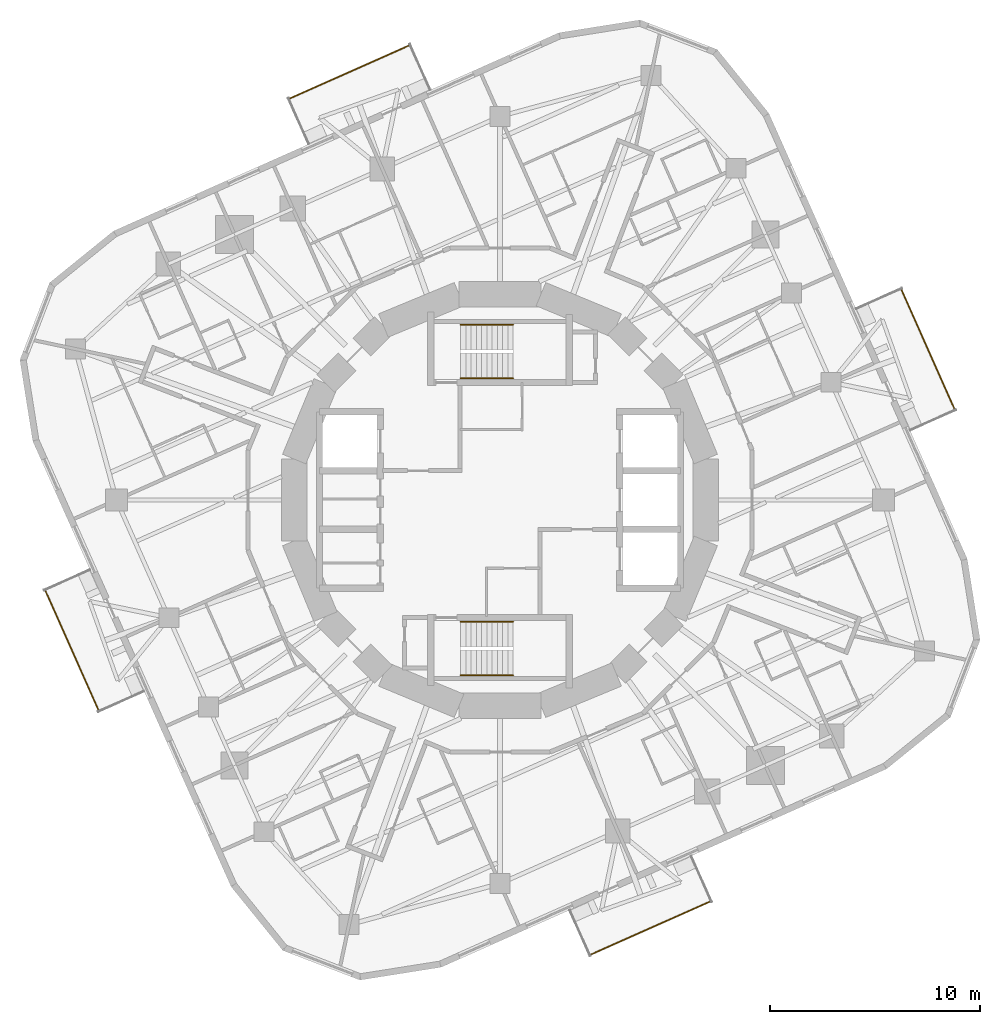
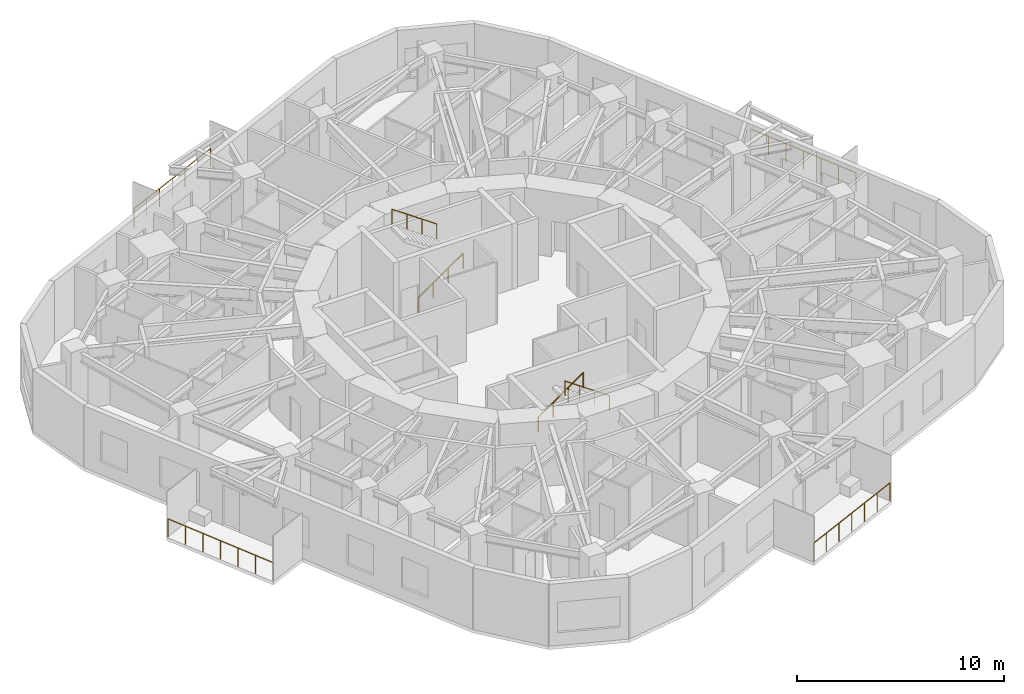
# One storey, part 11 of 12: 8 railings.
"""IFC4 building model written with IfcOpenShell, lengths in metres."""

from ifc_helpers import new_model, si_unit, direction, frame, origin, origin_2d, place, context, subcontext, project, spatial, circle, extrude, material, type_object, element, save


model = new_model("IFC4")

# Units and contexts
model_context = context("Model", 3, precision=1e-05, world=origin(), true_north=direction((0.0, 1.0)))
body_context = subcontext(model_context, "Body", "Model", "MODEL_VIEW")
ifc_project = project(units=[si_unit("LENGTHUNIT", "METRE"), si_unit("AREAUNIT", "SQUARE_METRE"), si_unit("VOLUMEUNIT", "CUBIC_METRE"), si_unit("PLANEANGLEUNIT", "RADIAN"), si_unit("MASSUNIT", "GRAM", prefix="KILO")], contexts=[model_context])

# Site, building, storey
site_placement = place(None, origin())
site = spatial("IfcSite", under=ifc_project, at=site_placement, CompositionType="ELEMENT")
building_placement = place(site_placement, origin())
building = spatial("IfcBuilding", under=site, at=building_placement, Name="Nakasero Lantern House", CompositionType="ELEMENT")
storey_placement = place(building_placement, frame((0.0, 0.0, 190.14990234375)))
storey = spatial("IfcBuildingStorey", under=building, at=storey_placement, Name="L46", CompositionType="ELEMENT", Elevation=190.14990234375)

# Railings
ifc_material_1 = material(Name="Aluminium 6063-T6", Category="aluminium")
railing_type_1 = type_object("IfcRailingType", Name="Balcony guard 1100", PredefinedType="BALUSTRADE", material=ifc_material_1)
railing_1_placement = place(storey_placement, frame((21.67529296875, 4.29931640625, 0.0)))
element("IfcRailing", 1, at=railing_1_placement, inside=storey, type_object=railing_type_1, Name="Balcony guard L46 BAL0", PredefinedType="BALUSTRADE", context=body_context, shape_type="SweptSolid", body=[
    extrude(circle(Radius=0.02392578125, at=origin_2d()), frame((0.0, 0.0, 1.076171875), z_axis=(-0.40676486805, 0.913532890552, 0.0), x_axis=(-0.913532890552, -0.40676486805, 0.0)), (0.0, 0.0, 1.0), 6.291259765625),
    extrude(circle(Radius=0.02099609375, at=origin_2d()), origin(), (0.0, 0.0, 1.0), 1.052001953125),
    extrude(circle(Radius=0.02099609375, at=origin_2d()), frame((-0.426513671875, 0.9580078125, 0.0)), (0.0, 0.0, 1.0), 1.052001953125),
    extrude(circle(Radius=0.02099609375, at=origin_2d()), frame((-0.85302734375, 1.915771484375, 0.0)), (0.0, 0.0, 1.0), 1.052001953125),
    extrude(circle(Radius=0.02099609375, at=origin_2d()), frame((-1.279541015625, 2.87353515625, 0.0)), (0.0, 0.0, 1.0), 1.052001953125),
    extrude(circle(Radius=0.02099609375, at=origin_2d()), frame((-1.7060546875, 3.83154296875, 0.0)), (0.0, 0.0, 1.0), 1.052001953125),
    extrude(circle(Radius=0.02099609375, at=origin_2d()), frame((-2.132568359375, 4.78955078125, 0.0)), (0.0, 0.0, 1.0), 1.052001953125),
    extrude(circle(Radius=0.02099609375, at=origin_2d()), frame((-2.55908203125, 5.747314453125, 0.0)), (0.0, 0.0, 1.0), 1.052001953125),
])
railing_2_placement = place(storey_placement, frame((-4.29931640625, 21.67529296875, 0.0)))
element("IfcRailing", 2, at=railing_2_placement, inside=storey, type_object=railing_type_1, Name="Balcony guard L46 BAL1", PredefinedType="BALUSTRADE", context=body_context, shape_type="SweptSolid", body=[
    extrude(circle(Radius=0.02392578125, at=origin_2d()), frame((0.0, 0.0, 1.076171875), z_axis=(-0.913532890552, -0.40676486805, 0.0), x_axis=(0.40676486805, -0.913532890552, 0.0)), (0.0, 0.0, 1.0), 6.291259765625),
    extrude(circle(Radius=0.02099609375, at=origin_2d()), origin(), (0.0, 0.0, 1.0), 1.052001953125),
    extrude(circle(Radius=0.02099609375, at=origin_2d()), frame((-0.9580078125, -0.426513671875, 0.0)), (0.0, 0.0, 1.0), 1.052001953125),
    extrude(circle(Radius=0.02099609375, at=origin_2d()), frame((-1.915771484375, -0.85302734375, 0.0)), (0.0, 0.0, 1.0), 1.052001953125),
    extrude(circle(Radius=0.02099609375, at=origin_2d()), frame((-2.87353515625, -1.279541015625, 0.0)), (0.0, 0.0, 1.0), 1.052001953125),
    extrude(circle(Radius=0.02099609375, at=origin_2d()), frame((-3.83154296875, -1.7060546875, 0.0)), (0.0, 0.0, 1.0), 1.052001953125),
    extrude(circle(Radius=0.02099609375, at=origin_2d()), frame((-4.78955078125, -2.132568359375, 0.0)), (0.0, 0.0, 1.0), 1.052001953125),
    extrude(circle(Radius=0.02099609375, at=origin_2d()), frame((-5.747314453125, -2.55908203125, 0.0)), (0.0, 0.0, 1.0), 1.052001953125),
])
railing_3_placement = place(storey_placement, frame((-21.67529296875, -4.29931640625, 0.0)))
element("IfcRailing", 3, at=railing_3_placement, inside=storey, type_object=railing_type_1, Name="Balcony guard L46 BAL2", PredefinedType="BALUSTRADE", context=body_context, shape_type="SweptSolid", body=[
    extrude(circle(Radius=0.02392578125, at=origin_2d()), frame((0.0, 0.0, 1.076171875), z_axis=(0.40676486805, -0.913532890552, 0.0), x_axis=(0.913532890552, 0.40676486805, 0.0)), (0.0, 0.0, 1.0), 6.291259765625),
    extrude(circle(Radius=0.02099609375, at=origin_2d()), origin(), (0.0, 0.0, 1.0), 1.052001953125),
    extrude(circle(Radius=0.02099609375, at=origin_2d()), frame((0.426513671875, -0.9580078125, 0.0)), (0.0, 0.0, 1.0), 1.052001953125),
    extrude(circle(Radius=0.02099609375, at=origin_2d()), frame((0.85302734375, -1.915771484375, 0.0)), (0.0, 0.0, 1.0), 1.052001953125),
    extrude(circle(Radius=0.02099609375, at=origin_2d()), frame((1.279541015625, -2.87353515625, 0.0)), (0.0, 0.0, 1.0), 1.052001953125),
    extrude(circle(Radius=0.02099609375, at=origin_2d()), frame((1.7060546875, -3.83154296875, 0.0)), (0.0, 0.0, 1.0), 1.052001953125),
    extrude(circle(Radius=0.02099609375, at=origin_2d()), frame((2.132568359375, -4.78955078125, 0.0)), (0.0, 0.0, 1.0), 1.052001953125),
    extrude(circle(Radius=0.02099609375, at=origin_2d()), frame((2.55908203125, -5.747314453125, 0.0)), (0.0, 0.0, 1.0), 1.052001953125),
])
railing_4_placement = place(storey_placement, frame((4.29931640625, -21.67529296875, 0.0)))
element("IfcRailing", 4, at=railing_4_placement, inside=storey, type_object=railing_type_1, Name="Balcony guard L46 BAL3", PredefinedType="BALUSTRADE", context=body_context, shape_type="SweptSolid", body=[
    extrude(circle(Radius=0.02392578125, at=origin_2d()), frame((0.0, 0.0, 1.076171875), z_axis=(0.913532890552, 0.40676486805, 0.0), x_axis=(-0.40676486805, 0.913532890552, 0.0)), (0.0, 0.0, 1.0), 6.291259765625),
    extrude(circle(Radius=0.02099609375, at=origin_2d()), origin(), (0.0, 0.0, 1.0), 1.052001953125),
    extrude(circle(Radius=0.02099609375, at=origin_2d()), frame((0.9580078125, 0.426513671875, 0.0)), (0.0, 0.0, 1.0), 1.052001953125),
    extrude(circle(Radius=0.02099609375, at=origin_2d()), frame((1.915771484375, 0.85302734375, 0.0)), (0.0, 0.0, 1.0), 1.052001953125),
    extrude(circle(Radius=0.02099609375, at=origin_2d()), frame((2.87353515625, 1.279541015625, 0.0)), (0.0, 0.0, 1.0), 1.052001953125),
    extrude(circle(Radius=0.02099609375, at=origin_2d()), frame((3.83154296875, 1.7060546875, 0.0)), (0.0, 0.0, 1.0), 1.052001953125),
    extrude(circle(Radius=0.02099609375, at=origin_2d()), frame((4.78955078125, 2.132568359375, 0.0)), (0.0, 0.0, 1.0), 1.052001953125),
    extrude(circle(Radius=0.02099609375, at=origin_2d()), frame((5.747314453125, 2.55908203125, 0.0)), (0.0, 0.0, 1.0), 1.052001953125),
])
ifc_material_2 = material(Name="Stainless steel 316", Category="steel")
railing_type_2 = type_object("IfcRailingType", Name="Stair handrail 900", PredefinedType="HANDRAIL", material=ifc_material_2)
railing_5_placement = place(storey_placement, frame((-1.875, 5.800048828125, 0.175048828125)))
element("IfcRailing", 5, at=railing_5_placement, inside=storey, type_object=railing_type_2, Name="Handrail ST1 L46 flight 1", PredefinedType="HANDRAIL", context=body_context, shape_type="SweptSolid", body=[
    extrude(circle(Radius=0.02392578125, at=origin_2d()), frame((0.0, 0.0, 0.8759765625), z_axis=(0.819231920519, 0.0, 0.573462344363), x_axis=(0.0, 1.0, 0.0)), (0.0, 0.0, 1.0), 3.0517578125),
    extrude(circle(Radius=0.02099609375, at=origin_2d()), origin(), (0.0, 0.0, 1.0), 0.851806640625),
    extrude(circle(Radius=0.02099609375, at=origin_2d()), frame((0.833251953125, 0.0, 0.583251953125)), (0.0, 0.0, 1.0), 0.851806640625),
    extrude(circle(Radius=0.02099609375, at=origin_2d()), frame((1.666748046875, 0.0, 1.166748046875)), (0.0, 0.0, 1.0), 0.851806640625),
    extrude(circle(Radius=0.02099609375, at=origin_2d()), frame((2.5, 0.0, 1.75)), (0.0, 0.0, 1.0), 0.851806640625),
])
railing_6_placement = place(storey_placement, frame((0.625, 8.35009765625, 2.10009765625)))
element("IfcRailing", 6, at=railing_6_placement, inside=storey, type_object=railing_type_2, Name="Handrail ST1 L46 flight 2", PredefinedType="HANDRAIL", context=body_context, shape_type="SweptSolid", body=[
    extrude(circle(Radius=0.02392578125, at=origin_2d()), frame((0.0, 0.0, 0.8759765625), z_axis=(-0.819231920519, 0.0, 0.573462344363), x_axis=(0.0, -1.0, 0.0)), (0.0, 0.0, 1.0), 3.0517578125),
    extrude(circle(Radius=0.02099609375, at=origin_2d()), origin(), (0.0, 0.0, 1.0), 0.851806640625),
    extrude(circle(Radius=0.02099609375, at=origin_2d()), frame((-0.833251953125, 0.0, 0.583251953125)), (0.0, 0.0, 1.0), 0.851806640625),
    extrude(circle(Radius=0.02099609375, at=origin_2d()), frame((-1.666748046875, 0.0, 1.166748046875)), (0.0, 0.0, 1.0), 0.851806640625),
    extrude(circle(Radius=0.02099609375, at=origin_2d()), frame((-2.5, 0.0, 1.75)), (0.0, 0.0, 1.0), 0.851806640625),
])
railing_7_placement = place(storey_placement, frame((-1.875, -5.800048828125, 0.175048828125)))
element("IfcRailing", 7, at=railing_7_placement, inside=storey, type_object=railing_type_2, Name="Handrail ST2 L46 flight 1", PredefinedType="HANDRAIL", context=body_context, shape_type="SweptSolid", body=[
    extrude(circle(Radius=0.02392578125, at=origin_2d()), frame((0.0, 0.0, 0.8759765625), z_axis=(0.819231920519, 0.0, 0.573462344363), x_axis=(0.0, 1.0, 0.0)), (0.0, 0.0, 1.0), 3.0517578125),
    extrude(circle(Radius=0.02099609375, at=origin_2d()), origin(), (0.0, 0.0, 1.0), 0.851806640625),
    extrude(circle(Radius=0.02099609375, at=origin_2d()), frame((0.833251953125, 0.0, 0.583251953125)), (0.0, 0.0, 1.0), 0.851806640625),
    extrude(circle(Radius=0.02099609375, at=origin_2d()), frame((1.666748046875, 0.0, 1.166748046875)), (0.0, 0.0, 1.0), 0.851806640625),
    extrude(circle(Radius=0.02099609375, at=origin_2d()), frame((2.5, 0.0, 1.75)), (0.0, 0.0, 1.0), 0.851806640625),
])
railing_8_placement = place(storey_placement, frame((0.625, -8.35009765625, 2.10009765625)))
element("IfcRailing", 8, at=railing_8_placement, inside=storey, type_object=railing_type_2, Name="Handrail ST2 L46 flight 2", PredefinedType="HANDRAIL", context=body_context, shape_type="SweptSolid", body=[
    extrude(circle(Radius=0.02392578125, at=origin_2d()), frame((0.0, 0.0, 0.8759765625), z_axis=(-0.819231920519, 0.0, 0.573462344363), x_axis=(0.0, -1.0, 0.0)), (0.0, 0.0, 1.0), 3.0517578125),
    extrude(circle(Radius=0.02099609375, at=origin_2d()), origin(), (0.0, 0.0, 1.0), 0.851806640625),
    extrude(circle(Radius=0.02099609375, at=origin_2d()), frame((-0.833251953125, 0.0, 0.583251953125)), (0.0, 0.0, 1.0), 0.851806640625),
    extrude(circle(Radius=0.02099609375, at=origin_2d()), frame((-1.666748046875, 0.0, 1.166748046875)), (0.0, 0.0, 1.0), 0.851806640625),
    extrude(circle(Radius=0.02099609375, at=origin_2d()), frame((-2.5, 0.0, 1.75)), (0.0, 0.0, 1.0), 0.851806640625),
])

save(model, "model.ifc")
